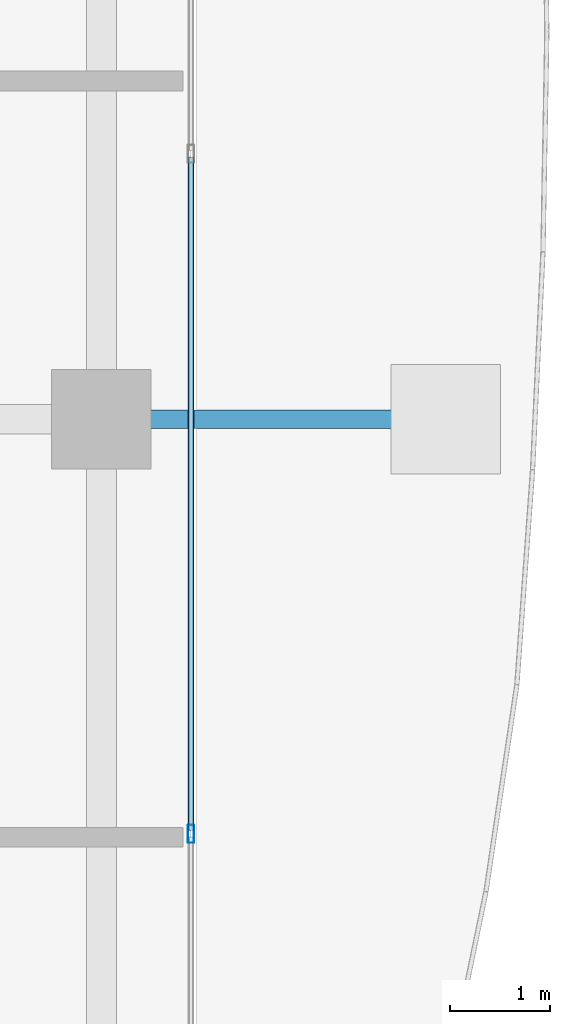
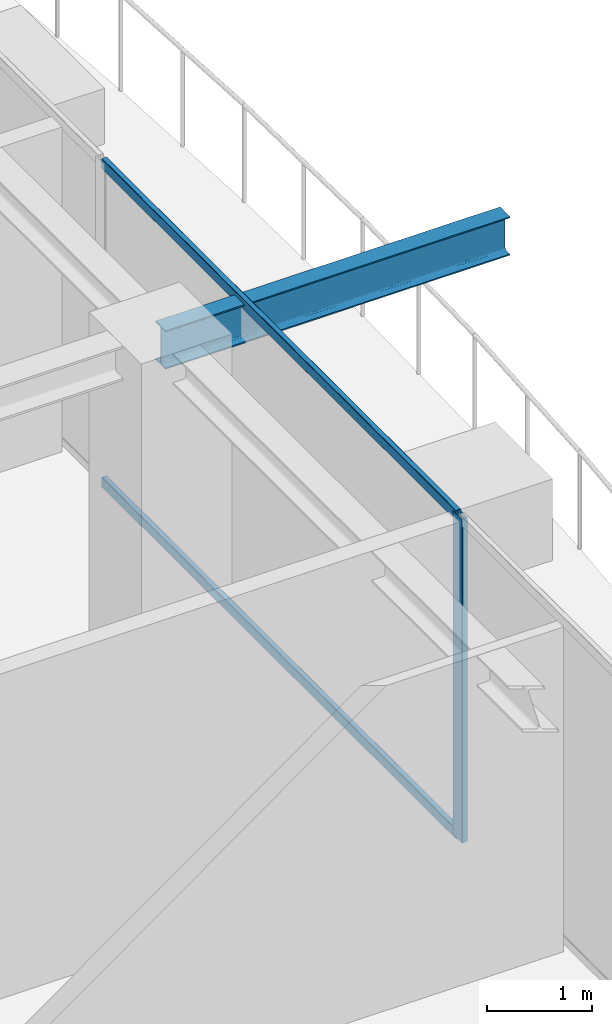
# One storey, part 16 of 42: 3 members, 1 beam, 1 element without a shape of its own.
"""IFC4 building model written with IfcOpenShell, lengths in metres."""

from ifc_helpers import new_model, si_unit, direction, frame, origin, origin_2d, place, context, subcontext, project, spatial, hollow_rectangle, i_section, extrude, source, transform, mapped, material, layer, layer_set, material_profile, profile_set, type_object, element, aggregate, save


model = new_model("IFC4")

# Units and contexts
model_context = context("Model", 3, precision=1e-05, world=origin(), true_north=direction((0.0, 1.0)))
body_context = subcontext(model_context, "Body", "Model", "MODEL_VIEW")
ifc_project = project(units=[si_unit("LENGTHUNIT", "METRE"), si_unit("AREAUNIT", "SQUARE_METRE"), si_unit("VOLUMEUNIT", "CUBIC_METRE"), si_unit("PLANEANGLEUNIT", "RADIAN"), si_unit("MASSUNIT", "GRAM", prefix="KILO")], contexts=[model_context])

# Site, building, storey
site_placement = place(None, origin())
site = spatial("IfcSite", under=ifc_project, at=site_placement, CompositionType="ELEMENT")
building_placement = place(site_placement, origin())
building = spatial("IfcBuilding", under=site, at=building_placement, Name="Serunith Strait Residences", CompositionType="ELEMENT")
storey_placement = place(building_placement, frame((0.0, 0.0, 325.85009765625)))
storey = spatial("IfcBuildingStorey", under=building, at=storey_placement, Name="L81", CompositionType="ELEMENT", Elevation=325.85009765625)

# Beam
ifc_material_1 = material(Name="Steel S355J2", Category="steel")
ifc_material_profile_1 = material_profile(ifc_material_1, i_section(OverallWidth=0.18994140625, OverallDepth=0.449951171875, WebThickness=0.009521484375, FlangeThickness=0.0146484375, FilletRadius=0.02099609375, at=origin_2d()), Name="IPE 450")
ifc_profile_set_1 = profile_set([ifc_material_profile_1], Name="Steel S355J2")
beam_type = type_object("IfcBeamType", Name="BM-IPE450", PredefinedType="JOIST", material=ifc_profile_set_1)
shared_shape_1 = source(origin(), body_context, "Body", "SweptSolid", [
    extrude(i_section(OverallWidth=0.18994140625, OverallDepth=0.449951171875, WebThickness=0.009521484375, FlangeThickness=0.0146484375, FilletRadius=0.02099609375, at=origin_2d()), origin(), (0.0, 0.0, 1.0), 3.800048828125),
])
beam_placement = place(storey_placement, frame((54.699951171875, 21.0, 3.531982421875), z_axis=(1.0, 0.0, 0.0), x_axis=(0.0, 1.0, 0.0)))
element("IfcBeam", 1, at=beam_placement, inside=storey, type_object=beam_type, Name="L82 Cantilevered Balcony Rib TC-E2", PredefinedType="JOIST", context=body_context, shape_type="MappedRepresentation", body=[
    mapped(shared_shape_1, transform((0.0, 0.0, 0.0), scale=1.0)),
])

# Curtain wall, members
ifc_material_2 = material(Name="Brushed Stainless-Silver Aluminium", Category="aluminium")
ifc_layer = layer(ifc_material_2, 0.199951171875, Name="Brushed Stainless-Silver Aluminium")
ifc_layer_set = layer_set([ifc_layer], Name="Brushed Stainless-Silver Aluminium")
curtain_wall_type = type_object("IfcCurtainWallType", Name="CW-SYS5", PredefinedType="NOTDEFINED", material=ifc_layer_set)
curtain_wall_placement = place(storey_placement, origin())
curtain_wall = element("IfcCurtainWall", 2, at=curtain_wall_placement, inside=storey, type_object=curtain_wall_type, Name="L81 E Unitised Fritted Curtain Wall", PredefinedType="NOTDEFINED")
ifc_material_profile_2 = material_profile(ifc_material_2, hollow_rectangle(XDim=0.06494140625, YDim=0.179931640625, WallThickness=0.00341796875, InnerFilletRadius=0.00537109375, OuterFilletRadius=0.0087890625, at=origin_2d()), Name="ALU 180x65x3.5")
ifc_profile_set_2 = profile_set([ifc_material_profile_2], Name="Brushed Stainless-Silver Aluminium")
member_type_1 = type_object("IfcMemberType", Name="CW-SYS5-MULL", PredefinedType="MULLION", material=ifc_profile_set_2)
shared_shape_2 = source(origin(), body_context, "Body", "SweptSolid", [
    extrude(hollow_rectangle(XDim=0.06494140625, YDim=0.179931640625, WallThickness=0.00341796875, InnerFilletRadius=0.00537109375, OuterFilletRadius=0.0087890625, at=origin_2d()), origin(), (0.0, 0.0, 1.0), 3.77490234375),
])
member_1_placement = place(storey_placement, frame((55.60009765625, 16.833251953125, 0.0), z_axis=(0.0, 0.0, 1.0), x_axis=(-1.0, 0.0, 0.0)))
member_1 = element("IfcMember", 3, at=member_1_placement, type_object=member_type_1, Name="CW-5 mullion 2", PredefinedType="MULLION", context=body_context, shape_type="MappedRepresentation", body=[
    mapped(shared_shape_2, transform((0.0, 0.0, 0.0), scale=1.0)),
])
ifc_material_profile_3 = material_profile(ifc_material_2, hollow_rectangle(XDim=0.06005859375, YDim=0.1201171875, WallThickness=0.00341796875, InnerFilletRadius=0.00537109375, OuterFilletRadius=0.0087890625, at=origin_2d()), Name="ALU 120x60x3.5")
ifc_profile_set_3 = profile_set([ifc_material_profile_3], Name="Brushed Stainless-Silver Aluminium")
member_type_2 = type_object("IfcMemberType", Name="CW-SYS5-TRAN", PredefinedType="USERDEFINED", material=ifc_profile_set_3)
shared_shape_3 = source(origin(), body_context, "Body", "SweptSolid", [
    extrude(hollow_rectangle(XDim=0.06005859375, YDim=0.1201171875, WallThickness=0.00341796875, InnerFilletRadius=0.00537109375, OuterFilletRadius=0.0087890625, at=origin_2d()), origin(), (0.0, 0.0, 1.0), 6.7685546875),
])
member_2_placement = place(storey_placement, frame((55.60009765625, 16.86572265625, 0.02978515625), z_axis=(0.0, 1.0, 0.0), x_axis=(-1.0, 0.0, 0.0)))
member_2 = element("IfcMember", 4, at=member_2_placement, type_object=member_type_2, Name="CW-5 transom 2.1", ObjectType="TRANSOM", PredefinedType="USERDEFINED", context=body_context, shape_type="MappedRepresentation", body=[
    mapped(shared_shape_3, transform((0.0, 0.0, 0.0), scale=1.0)),
])
member_3_placement = place(storey_placement, frame((55.60009765625, 16.86572265625, 3.744873046875), z_axis=(0.0, 1.0, 0.0), x_axis=(-1.0, 0.0, 0.0)))
member_3 = element("IfcMember", 5, at=member_3_placement, type_object=member_type_2, Name="CW-5 transom 2.2", ObjectType="TRANSOM", PredefinedType="USERDEFINED", context=body_context, shape_type="MappedRepresentation", body=[
    mapped(shared_shape_3, transform((0.0, 0.0, 0.0), scale=1.0)),
])
aggregate(curtain_wall, [member_1, member_2, member_3])

save(model, "model.ifc")
